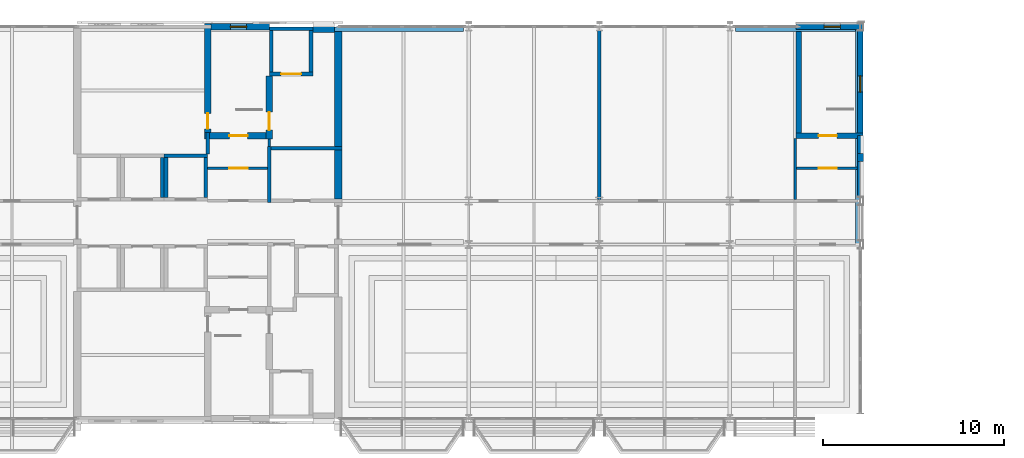
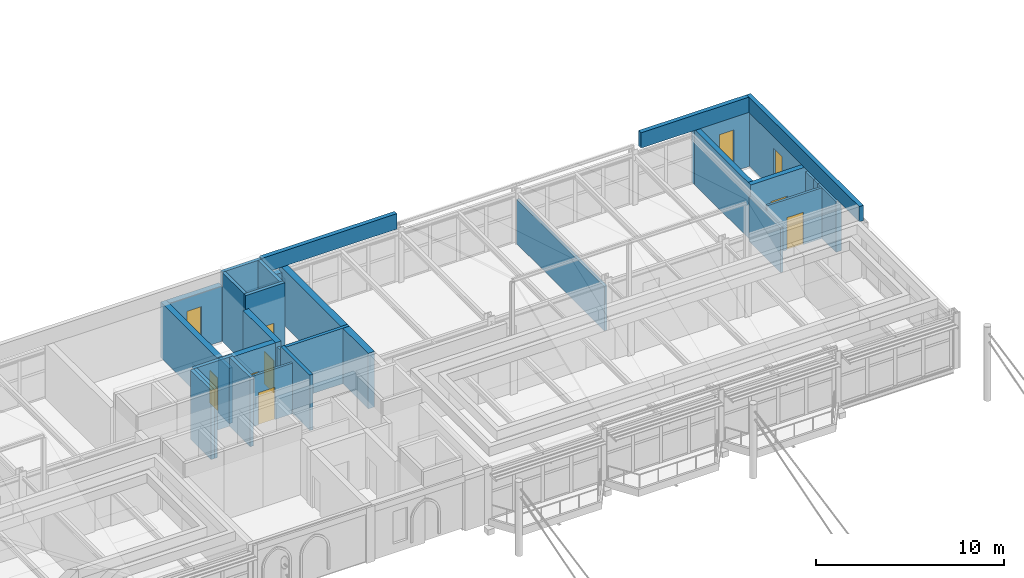
# One storey, part 52 of 68: 33 walls, 7 doors, 3 windows, 10 openings.
"""IFC4 building model written with IfcOpenShell, lengths in metres."""

from ifc_helpers import new_model, si_unit, direction, frame, frame_2d, origin, place, context, subcontext, project, spatial, rectangle, extrude, material, layer, layer_set, type_object, element, fill, save


model = new_model("IFC4")

# Units and contexts
model_context = context("Model", 3, precision=1e-05, world=origin(), true_north=direction((0.0, 1.0)))
body_context = subcontext(model_context, "Body", "Model", "MODEL_VIEW")
ifc_project = project(units=[si_unit("LENGTHUNIT", "METRE"), si_unit("AREAUNIT", "SQUARE_METRE"), si_unit("VOLUMEUNIT", "CUBIC_METRE"), si_unit("PLANEANGLEUNIT", "RADIAN"), si_unit("MASSUNIT", "GRAM", prefix="KILO")], contexts=[model_context])

# Site, building, storey
site_placement = place(None, origin())
site = spatial("IfcSite", under=ifc_project, at=site_placement, CompositionType="ELEMENT")
building_placement = place(site_placement, origin())
building = spatial("IfcBuilding", under=site, at=building_placement, Name="Kupolbacken Congress Centre", CompositionType="ELEMENT")
storey_placement = place(building_placement, frame((0.0, 0.0, 25.199951171875)))
storey = spatial("IfcBuildingStorey", under=building, at=storey_placement, Name="L07", CompositionType="ELEMENT", Elevation=25.199951171875)

# Walls
ifc_material_1 = material(Name="Brick", Category="masonry")
ifc_layer_1 = layer(ifc_material_1, 0.10791015625)
ifc_material_2 = material(Name="Air cavity", Category="air")
ifc_layer_2 = layer(ifc_material_2, 0.050048828125, ventilated=True)
ifc_material_3 = material(Name="Mineral wool", Category="insulation")
ifc_layer_3 = layer(ifc_material_3, 0.1298828125)
ifc_material_4 = material(Name="Steel studs", Category="metal")
ifc_layer_4 = layer(ifc_material_4, 0.052001953125)
ifc_layer_set_1 = layer_set([ifc_layer_1, ifc_layer_2, ifc_layer_3, ifc_layer_4], Name="Brick / Mineral wool / Steel studs")
wall_type_1 = type_object("IfcWallType", Name="EW02 external cavity wall 340", PredefinedType="SOLIDWALL", material=ifc_layer_set_1)
wall_1_placement = place(storey_placement, frame((136.800048828125, 134.625, 0.0), z_axis=(0.0, 0.0, 1.0), x_axis=(0.0, 1.0, 0.0)))
element("IfcWall", 1, at=wall_1_placement, inside=storey, type_object=wall_type_1, Name="E/T/E/L07/101", PredefinedType="SOLIDWALL", context=body_context, shape_type="SweptSolid", body=[
    extrude(rectangle(XDim=1.949951171875, YDim=0.340087890625, at=frame_2d((0.97509765625, 0.0))), origin(), (0.0, 0.0, 1.0), 3.2900390625),
])
wall_2_placement = place(storey_placement, frame((136.800048828125, 137.02490234375, 0.0), z_axis=(0.0, 0.0, 1.0), x_axis=(0.0, 1.0, 0.0)))
element("IfcWall", 2, at=wall_2_placement, inside=storey, type_object=wall_type_1, Name="E/T/E/L07/102", PredefinedType="SOLIDWALL", context=body_context, shape_type="SweptSolid", body=[
    extrude(rectangle(XDim=0.97509765625, YDim=0.340087890625, at=frame_2d((0.487548828125, 0.0))), origin(), (0.0, 0.0, 1.0), 3.2900390625),
])
wall_3_placement = place(storey_placement, frame((136.800048828125, 136.574951171875, 0.0), z_axis=(0.0, 0.0, 1.0), x_axis=(0.0, 1.0, 0.0)))
element("IfcWall", 3, at=wall_3_placement, inside=storey, type_object=wall_type_1, Name="E/T/gapfill/E/L07/003", PredefinedType="SOLIDWALL", context=body_context, shape_type="SweptSolid", body=[
    extrude(rectangle(XDim=0.449951171875, YDim=0.340087890625, at=frame_2d((0.22509765625, 0.0))), origin(), (0.0, 0.0, 1.0), 3.2900390625),
])
ifc_material_5 = material(Name="Concrete C40/50", Category="concrete")
ifc_layer_5 = layer(ifc_material_5, 0.35009765625)
ifc_layer_6 = layer(ifc_material_3, 0.1220703125)
ifc_layer_7 = layer(ifc_material_2, 0.0400390625, ventilated=True)
ifc_layer_8 = layer(ifc_material_1, 0.10791015625)
ifc_layer_set_2 = layer_set([ifc_layer_5, ifc_layer_6, ifc_layer_7, ifc_layer_8], Name="Concrete C40/50 / Mineral wool / Brick")
wall_type_2 = type_object("IfcWallType", Name="EW10 external cavity wall 620", PredefinedType="SOLIDWALL", material=ifc_layer_set_2)
wall_4_placement = place(storey_placement, frame((107.800048828125, 144.0, 0.0), z_axis=(0.0, 0.0, 1.0), x_axis=(-1.0, 0.0, 0.0)))
element("IfcWall", 4, at=wall_4_placement, inside=storey, type_object=wall_type_2, Name="E/T/N/L07/107", PredefinedType="SOLIDWALL", context=body_context, shape_type="SweptSolid", body=[
    extrude(rectangle(XDim=1.199951171875, YDim=0.6201171875, at=frame_2d((0.60009765625, 0.0))), origin(), (0.0, 0.0, 1.0), 3.2900390625),
])
ifc_material_6 = material(Name="Gypsum board", Category="drywall")
ifc_layer_9 = layer(ifc_material_6, 0.175048828125)
ifc_layer_set_3 = layer_set([ifc_layer_9], Name="Gypsum board")
wall_type_3 = type_object("IfcWallType", Name="P09 partition 175", PredefinedType="PARTITIONING", material=ifc_layer_set_3)
wall_5_placement = place(storey_placement, frame((122.39990234375, 134.487548828125, 0.0), z_axis=(0.0, 0.0, 1.0), x_axis=(0.0, 1.0, 0.0)))
element("IfcWall", 5, at=wall_5_placement, inside=storey, type_object=wall_type_3, Name="T/wall/L07/y/12240/13440", PredefinedType="PARTITIONING", context=body_context, shape_type="SweptSolid", body=[
    extrude(rectangle(XDim=9.342529296875, YDim=0.175048828125, at=frame_2d((4.67138671875, 0.0))), origin(), (0.0, 0.0, 1.0), 2.89013671875),
])

# Wall, opening, door
ifc_material_7 = material(Name="Aerated concrete block", Category="masonry")
ifc_layer_10 = layer(ifc_material_7, 0.139892578125)
ifc_layer_set_4 = layer_set([ifc_layer_10], Name="Aerated concrete block")
wall_type_4 = type_object("IfcWallType", Name="P14 compartment wall 140", PredefinedType="PARTITIONING", material=ifc_layer_set_4)
wall_6_placement = place(storey_placement, frame((100.800048828125, 136.199951171875, 0.0), z_axis=(0.0, 0.0, 1.0), x_axis=(1.0, 0.0, 0.0)))
wall_6 = element("IfcWall", 6, at=wall_6_placement, inside=storey, type_object=wall_type_4, Name="T/wall/L07/x/13620/10080", PredefinedType="PARTITIONING", context=body_context, shape_type="SweptSolid", body=[
    extrude(rectangle(XDim=3.300048828125, YDim=0.139892578125, at=frame_2d((1.64990234375, 0.0))), origin(), (0.0, 0.0, 1.0), 3.2900390625),
])
opening_1_placement = place(wall_6_placement, frame((1.199951171875, 0.0, 0.0)))
opening_1 = element("IfcOpeningElement", 7, at=opening_1_placement, cuts=wall_6, Name="Opening D5", PredefinedType="OPENING", context=body_context, shape_type="SweptSolid", body=[
    extrude(rectangle(XDim=1.0, YDim=2.10009765625, at=frame_2d((0.5, 1.050048828125))), frame((0.0, 0.079833984375, 0.0), z_axis=(0.0, -1.0, 0.0), x_axis=(1.0, 0.0, 0.0)), (0.0, 0.0, 1.0), 0.159912109375),
])
ifc_material_8 = material(Name="Steel fire door leaf", Category="steel")
door_type_1 = type_object("IfcDoorType", Name="D5 stair door 1000x2100", OperationType="SINGLE_SWING_LEFT", PredefinedType="DOOR", material=ifc_material_8)
door_1_placement = place(opening_1_placement, frame((1.0, 0.0, 0.0), z_axis=(0.0, 0.0, 1.0), x_axis=(-1.0, 0.0, 0.0)))
door_1 = element("IfcDoor", 8, at=door_1_placement, inside=storey, type_object=door_type_1, Name="T/wall/L07/x/13620/10080/D-TS2-LK2", OperationType="SINGLE_SWING_RIGHT", OverallHeight=2.10009765625, OverallWidth=1.0, PredefinedType="DOOR", context=body_context, shape_type="SweptSolid", body=[
    extrude(rectangle(XDim=1.0, YDim=2.10009765625, at=frame_2d((0.5, 1.050048828125))), frame((0.0, 0.02490234375, 0.0), z_axis=(0.0, -1.0, 0.0), x_axis=(1.0, 0.0, 0.0)), (0.0, 0.0, 1.0), 0.050048828125),
])
fill(opening_1, door_1)

wall_7_placement = place(storey_placement, frame((133.27001953125, 136.199951171875, 0.0), z_axis=(0.0, 0.0, 1.0), x_axis=(1.0, 0.0, 0.0)))
wall_7 = element("IfcWall", 9, at=wall_7_placement, inside=storey, type_object=wall_type_4, Name="T/wall/L07/x/13620/13320", PredefinedType="PARTITIONING", context=body_context, shape_type="SweptSolid", body=[
    extrude(rectangle(XDim=3.35986328125, YDim=0.139892578125, at=frame_2d((1.679931640625, 0.0))), origin(), (0.0, 0.0, 1.0), 3.2900390625),
])
opening_2_placement = place(wall_7_placement, frame((1.22998046875, 0.0, 0.0)))
opening_2 = element("IfcOpeningElement", 10, at=opening_2_placement, cuts=wall_7, Name="Opening D5", PredefinedType="OPENING", context=body_context, shape_type="SweptSolid", body=[
    extrude(rectangle(XDim=1.0, YDim=2.10009765625, at=frame_2d((0.5, 1.050048828125))), frame((0.0, 0.079833984375, 0.0), z_axis=(0.0, -1.0, 0.0), x_axis=(1.0, 0.0, 0.0)), (0.0, 0.0, 1.0), 0.159912109375),
])
door_2_placement = place(opening_2_placement, frame((1.0, 0.0, 0.0), z_axis=(0.0, 0.0, 1.0), x_axis=(-1.0, 0.0, 0.0)))
door_2 = element("IfcDoor", 11, at=door_2_placement, inside=storey, type_object=door_type_1, Name="T/wall/L07/x/13620/13320/D-TS4-LK2", OperationType="SINGLE_SWING_RIGHT", OverallHeight=2.10009765625, OverallWidth=1.0, PredefinedType="DOOR", context=body_context, shape_type="SweptSolid", body=[
    extrude(rectangle(XDim=1.0, YDim=2.10009765625, at=frame_2d((0.5, 1.050048828125))), frame((0.0, 0.02490234375, 0.0), z_axis=(0.0, -1.0, 0.0), x_axis=(1.0, 0.0, 0.0)), (0.0, 0.0, 1.0), 0.050048828125),
])
fill(opening_2, door_2)

# Walls
wall_8_placement = place(storey_placement, frame((104.199951171875, 137.39990234375, 0.0), z_axis=(0.0, 0.0, 1.0), x_axis=(0.0, 1.0, 0.0)))
element("IfcWall", 12, at=wall_8_placement, inside=storey, type_object=wall_type_4, Name="T/wall/L07/y/10420/13740", PredefinedType="PARTITIONING", context=body_context, shape_type="SweptSolid", body=[
    extrude(rectangle(XDim=0.425048828125, YDim=0.139892578125, at=frame_2d((0.21240234375, 0.0))), origin(), (0.0, 0.0, 1.0), 3.2900390625),
])
wall_9_placement = place(storey_placement, frame((133.199951171875, 134.469970703125, 0.0), z_axis=(0.0, 0.0, 1.0), x_axis=(0.0, 1.0, 0.0)))
element("IfcWall", 13, at=wall_9_placement, inside=storey, type_object=wall_type_4, Name="T/wall/L07/y/13320/13440", PredefinedType="PARTITIONING", context=body_context, shape_type="SweptSolid", body=[
    extrude(rectangle(XDim=3.380126953125, YDim=0.139892578125, at=frame_2d((1.68994140625, 0.0))), origin(), (0.0, 0.0, 1.0), 2.89013671875),
])
ifc_layer_11 = layer(ifc_material_1, 0.10791015625)
ifc_material_9 = material(Name="Concrete block", Category="masonry")
ifc_layer_12 = layer(ifc_material_9, 0.152099609375)
ifc_layer_set_5 = layer_set([ifc_layer_11, ifc_layer_12], Name="Brick / Concrete block")
wall_type_5 = type_object("IfcWallType", Name="PW2 parapet 260", PredefinedType="PARAPET", material=ifc_layer_set_5)
wall_10_placement = place(storey_placement, frame((136.669921875, 132.0, 3.60009765625), z_axis=(0.0, 0.0, 1.0), x_axis=(0.0, 1.0, 0.0)))
element("IfcWall", 14, at=wall_10_placement, inside=storey, type_object=wall_type_5, Name="E/T/parapet/E", PredefinedType="PARAPET", context=body_context, shape_type="SweptSolid", body=[
    extrude(rectangle(XDim=12.0, YDim=0.260009765625, at=frame_2d((6.0, 0.0))), origin(), (0.0, 0.0, 1.0), 1.0),
])
wall_11_placement = place(storey_placement, frame((106.60009765625, 143.8701171875, 3.60009765625), z_axis=(0.0, 0.0, 1.0), x_axis=(1.0, 0.0, 0.0)))
element("IfcWall", 15, at=wall_11_placement, inside=storey, type_object=wall_type_5, Name="E/T/parapet/N3", PredefinedType="PARAPET", context=body_context, shape_type="SweptSolid", body=[
    extrude(rectangle(XDim=8.2998046875, YDim=0.260009765625, at=frame_2d((4.14990234375, 0.0))), origin(), (0.0, 0.0, 1.0), 1.0),
])
wall_12_placement = place(storey_placement, frame((129.89990234375, 143.8701171875, 3.60009765625), z_axis=(0.0, 0.0, 1.0), x_axis=(1.0, 0.0, 0.0)))
element("IfcWall", 16, at=wall_12_placement, inside=storey, type_object=wall_type_5, Name="E/T/parapet/N4", PredefinedType="PARAPET", context=body_context, shape_type="SweptSolid", body=[
    extrude(rectangle(XDim=6.64013671875, YDim=0.260009765625, at=frame_2d((3.320068359375, 0.0))), origin(), (0.0, 0.0, 1.0), 1.0),
])
ifc_material_10 = material(Name="Concrete C40/50", Category="concrete")
ifc_layer_13 = layer(ifc_material_10, 0.199951171875)
ifc_layer_set_6 = layer_set([ifc_layer_13], Name="Concrete C40/50")
wall_type_6 = type_object("IfcWallType", Name="WC1 RC shaft wall 200", PredefinedType="SHEAR", material=ifc_layer_set_6)
wall_13_placement = place(storey_placement, frame((100.800048828125, 137.0, 0.0), z_axis=(0.0, 0.0, 1.0), x_axis=(0.0, 1.0, 0.0)))
element("IfcWall", 17, at=wall_13_placement, inside=storey, type_object=wall_type_6, Name="Shaft wall L07-114", PredefinedType="SHEAR", context=body_context, shape_type="SweptSolid", body=[
    extrude(rectangle(XDim=1.175048828125, YDim=0.199951171875, at=frame_2d((0.58740234375, 0.0))), origin(), (0.0, 0.0, 1.0), 3.60009765625),
])
wall_14_placement = place(storey_placement, frame((104.199951171875, 137.39990234375, 0.0), z_axis=(0.0, 0.0, 1.0), x_axis=(0.0, -1.0, 0.0)))
element("IfcWall", 18, at=wall_14_placement, inside=storey, type_object=wall_type_6, Name="Shaft wall L07-115", PredefinedType="SHEAR", context=body_context, shape_type="SweptSolid", body=[
    extrude(rectangle(XDim=3.099853515625, YDim=0.199951171875, at=frame_2d((1.5498046875, 0.0))), origin(), (0.0, 0.0, 1.0), 3.60009765625),
])
wall_15_placement = place(storey_placement, frame((108.199951171875, 137.300048828125, 0.0), z_axis=(0.0, 0.0, 1.0), x_axis=(-1.0, 0.0, 0.0)))
element("IfcWall", 19, at=wall_15_placement, inside=storey, type_object=wall_type_6, Name="Shaft wall L07-116", PredefinedType="SHEAR", context=body_context, shape_type="SweptSolid", body=[
    extrude(rectangle(XDim=4.099853515625, YDim=0.199951171875, at=frame_2d((2.0498046875, 0.0))), origin(), (0.0, 0.0, 1.0), 3.60009765625),
])
wall_16_placement = place(storey_placement, frame((98.300048828125, 134.60009765625, 0.0), z_axis=(0.0, 0.0, 1.0), x_axis=(0.0, 1.0, 0.0)))
element("IfcWall", 20, at=wall_16_placement, inside=storey, type_object=wall_type_6, Name="Shaft wall LP13", PredefinedType="SHEAR", context=body_context, shape_type="SweptSolid", body=[
    extrude(rectangle(XDim=2.199951171875, YDim=0.199951171875, at=frame_2d((1.10009765625, 0.0))), origin(), (0.0, 0.0, 1.0), 4.5),
])
wall_17_placement = place(storey_placement, frame((98.39990234375, 136.89990234375, 0.0), z_axis=(0.0, 0.0, 1.0), x_axis=(1.0, 0.0, 0.0)))
element("IfcWall", 21, at=wall_17_placement, inside=storey, type_object=wall_type_6, Name="Shaft wall LP14", PredefinedType="SHEAR", context=body_context, shape_type="SweptSolid", body=[
    extrude(rectangle(XDim=2.400146484375, YDim=0.199951171875, at=frame_2d((1.2001953125, 0.0))), origin(), (0.0, 0.0, 1.0), 4.5),
])
for number, where, z_axis, x_axis, name in (
    (22, (98.5, 134.60009765625, 0.0), (0.0, 0.0, 1.0), (0.0, 1.0, 0.0), "Shaft wall LP14"),
    (23, (100.699951171875, 134.60009765625, 0.0), (0.0, 0.0, 1.0), (0.0, 1.0, 0.0), "Shaft wall LP14"),
):
    element("IfcWall", number, at=place(storey_placement, frame(where, z_axis=z_axis, x_axis=x_axis)), inside=storey, type_object=wall_type_6, Name=name, PredefinedType="SHEAR", context=body_context, shape_type="SweptSolid", body=[
        extrude(rectangle(XDim=2.199951171875, YDim=0.199951171875, at=frame_2d((1.10009765625, 0.0))), origin(), (0.0, 0.0, 1.0), 4.5),
    ])

# Wall, opening, door
wall_18_placement = place(storey_placement, frame((104.199951171875, 141.39990234375, 0.0), z_axis=(0.0, 0.0, 1.0), x_axis=(1.0, 0.0, 0.0)))
wall_18 = element("IfcWall", 24, at=wall_18_placement, inside=storey, type_object=wall_type_6, Name="Shaft wall LF2", PredefinedType="SHEAR", context=body_context, shape_type="SweptSolid", body=[
    extrude(rectangle(XDim=2.400146484375, YDim=0.199951171875, at=frame_2d((1.2001953125, 0.0))), origin(), (0.0, 0.0, 1.0), 4.5),
])
opening_3_placement = place(wall_18_placement, frame((0.64990234375, 0.0, 0.0)))
opening_3 = element("IfcOpeningElement", 25, at=opening_3_placement, cuts=wall_18, Name="Opening LD2", PredefinedType="OPENING", context=body_context, shape_type="SweptSolid", body=[
    extrude(rectangle(XDim=1.10009765625, YDim=2.10009765625, at=frame_2d((0.550048828125, 1.050048828125))), frame((0.0, 0.10986328125, 0.0), z_axis=(0.0, -1.0, 0.0), x_axis=(1.0, 0.0, 0.0)), (0.0, 0.0, 1.0), 0.219970703125),
])
ifc_material_11 = material(Name="Stainless steel door leaf", Category="steel")
door_type_2 = type_object("IfcDoorType", Name="LD2 lift landing door 1100x2100", OperationType="SLIDING_TO_LEFT", PredefinedType="DOOR", material=ifc_material_11)
door_3_placement = place(opening_3_placement, origin())
door_3 = element("IfcDoor", 26, at=door_3_placement, inside=storey, type_object=door_type_2, Name="Lift landing door LF2", OperationType="SLIDING_TO_LEFT", OverallHeight=2.10009765625, OverallWidth=1.10009765625, PredefinedType="DOOR", context=body_context, shape_type="SweptSolid", body=[
    extrude(rectangle(XDim=1.10009765625, YDim=2.10009765625, at=frame_2d((0.550048828125, 1.050048828125))), frame((0.0, 0.02490234375, 0.0), z_axis=(0.0, -1.0, 0.0), x_axis=(1.0, 0.0, 0.0)), (0.0, 0.0, 1.0), 0.050048828125),
])
fill(opening_3, door_3)

# Walls
wall_19_placement = place(storey_placement, frame((104.199951171875, 143.89990234375, 0.0), z_axis=(0.0, 0.0, 1.0), x_axis=(1.0, 0.0, 0.0)))
element("IfcWall", 27, at=wall_19_placement, inside=storey, type_object=wall_type_6, Name="Shaft wall LF2", PredefinedType="SHEAR", context=body_context, shape_type="SweptSolid", body=[
    extrude(rectangle(XDim=2.400146484375, YDim=0.199951171875, at=frame_2d((1.2001953125, 0.0))), origin(), (0.0, 0.0, 1.0), 4.5),
])
for number, where, z_axis, x_axis, name in (
    (28, (104.300048828125, 141.5, 0.0), (0.0, 0.0, 1.0), (0.0, 1.0, 0.0), "Shaft wall LF2"),
    (29, (106.5, 141.5, 0.0), (0.0, 0.0, 1.0), (0.0, 1.0, 0.0), "Shaft wall LF2"),
):
    element("IfcWall", number, at=place(storey_placement, frame(where, z_axis=z_axis, x_axis=x_axis)), inside=storey, type_object=wall_type_6, Name=name, PredefinedType="SHEAR", context=body_context, shape_type="SweptSolid", body=[
        extrude(rectangle(XDim=2.300048828125, YDim=0.199951171875, at=frame_2d((1.14990234375, 0.0))), origin(), (0.0, 0.0, 1.0), 4.5),
    ])

# Wall, opening, door
ifc_material_12 = material(Name="Concrete C40/50", Category="concrete")
ifc_layer_14 = layer(ifc_material_12, 0.300048828125)
ifc_layer_set_7 = layer_set([ifc_layer_14], Name="Concrete C40/50")
wall_type_7 = type_object("IfcWallType", Name="WC3 RC core wall 300", PredefinedType="SHEAR", material=ifc_layer_set_7)
wall_20_placement = place(storey_placement, frame((133.25, 138.0, 0.0), z_axis=(0.0, 0.0, 1.0), x_axis=(1.0, 0.0, 0.0)))
wall_20 = element("IfcWall", 30, at=wall_20_placement, inside=storey, type_object=wall_type_7, Name="Core wall L07-122", PredefinedType="SHEAR", context=body_context, shape_type="SweptSolid", body=[
    extrude(rectangle(XDim=3.699951171875, YDim=0.300048828125, at=frame_2d((1.85009765625, 0.0))), origin(), (0.0, 0.0, 1.0), 3.60009765625),
])
opening_4_placement = place(wall_20_placement, frame((1.25, 0.0, 0.0)))
opening_4 = element("IfcOpeningElement", 31, at=opening_4_placement, cuts=wall_20, Name="Opening D5", PredefinedType="OPENING", context=body_context, shape_type="SweptSolid", body=[
    extrude(rectangle(XDim=1.0, YDim=2.10009765625, at=frame_2d((0.5, 1.050048828125))), frame((0.0, 0.159912109375, 0.0), z_axis=(0.0, -1.0, 0.0), x_axis=(1.0, 0.0, 0.0)), (0.0, 0.0, 1.0), 0.320068359375),
])
door_4_placement = place(opening_4_placement, origin())
door_4 = element("IfcDoor", 32, at=door_4_placement, inside=storey, type_object=door_type_1, Name="S/core/L07/122/D-TS4-LK1", OperationType="SINGLE_SWING_RIGHT", OverallHeight=2.10009765625, OverallWidth=1.0, PredefinedType="DOOR", context=body_context, shape_type="SweptSolid", body=[
    extrude(rectangle(XDim=1.0, YDim=2.10009765625, at=frame_2d((0.5, 1.050048828125))), frame((0.0, 0.02490234375, 0.0), z_axis=(0.0, -1.0, 0.0), x_axis=(1.0, 0.0, 0.0)), (0.0, 0.0, 1.0), 0.050048828125),
])
fill(opening_4, door_4)

# Wall, opening, window
wall_21_placement = place(storey_placement, frame((136.800048828125, 137.85009765625, 0.0), z_axis=(0.0, 0.0, 1.0), x_axis=(0.0, 1.0, 0.0)))
wall_21 = element("IfcWall", 33, at=wall_21_placement, inside=storey, type_object=wall_type_7, Name="Core wall L07-123", PredefinedType="SHEAR", context=body_context, shape_type="SweptSolid", body=[
    extrude(rectangle(XDim=6.2998046875, YDim=0.300048828125, at=frame_2d((3.14990234375, 0.0))), origin(), (0.0, 0.0, 1.0), 3.60009765625),
])
opening_5_placement = place(wall_21_placement, frame((2.550048828125, 0.0, 0.60009765625)))
opening_5 = element("IfcOpeningElement", 34, at=opening_5_placement, cuts=wall_21, Name="Opening W28", PredefinedType="OPENING", context=body_context, shape_type="SweptSolid", body=[
    extrude(rectangle(XDim=0.89990234375, YDim=2.10009765625, at=frame_2d((0.449951171875, 1.050048828125))), frame((0.0, 0.159912109375, 0.0), z_axis=(0.0, -1.0, 0.0), x_axis=(1.0, 0.0, 0.0)), (0.0, 0.0, 1.0), 0.320068359375),
])
ifc_material_13 = material(Name="Aluminium frame with double or triple glazing", Category="aluminium")
window_type = type_object("IfcWindowType", Name="W28 window 900x2100", PartitioningType="SINGLE_PANEL", PredefinedType="WINDOW", material=ifc_material_13)
window_1_placement = place(opening_5_placement, origin())
window_1 = element("IfcWindow", 35, at=window_1_placement, inside=storey, type_object=window_type, Name="S/core/L07/123/WW28", OverallHeight=2.10009765625, OverallWidth=0.89990234375, PartitioningType="SINGLE_PANEL", PredefinedType="WINDOW", context=body_context, shape_type="SweptSolid", body=[
    extrude(rectangle(XDim=0.89990234375, YDim=2.10009765625, at=frame_2d((0.449951171875, 1.050048828125))), frame((0.0, 0.030029296875, 0.0), z_axis=(0.0, -1.0, 0.0), x_axis=(1.0, 0.0, 0.0)), (0.0, 0.0, 1.0), 0.06005859375),
])
fill(opening_5, window_1)

# Wall
wall_22_placement = place(storey_placement, frame((133.39990234375, 144.14990234375, 0.0), z_axis=(0.0, 0.0, 1.0), x_axis=(0.0, -1.0, 0.0)))
element("IfcWall", 36, at=wall_22_placement, inside=storey, type_object=wall_type_7, Name="Core wall L07-130", PredefinedType="SHEAR", context=body_context, shape_type="SweptSolid", body=[
    extrude(rectangle(XDim=6.2998046875, YDim=0.300048828125, at=frame_2d((3.14990234375, 0.0))), origin(), (0.0, 0.0, 1.0), 3.60009765625),
])

# Wall, opening, window
wall_23_placement = place(storey_placement, frame((136.949951171875, 144.0, 0.0), z_axis=(0.0, 0.0, 1.0), x_axis=(-1.0, 0.0, 0.0)))
wall_23 = element("IfcWall", 37, at=wall_23_placement, inside=storey, type_object=wall_type_7, Name="Core wall L07-131", PredefinedType="SHEAR", context=body_context, shape_type="SweptSolid", body=[
    extrude(rectangle(XDim=3.699951171875, YDim=0.300048828125, at=frame_2d((1.85009765625, 0.0))), origin(), (0.0, 0.0, 1.0), 3.60009765625),
])
opening_6_placement = place(wall_23_placement, frame((1.25, 0.0, 0.60009765625)))
opening_6 = element("IfcOpeningElement", 38, at=opening_6_placement, cuts=wall_23, Name="Opening W28", PredefinedType="OPENING", context=body_context, shape_type="SweptSolid", body=[
    extrude(rectangle(XDim=0.89990234375, YDim=2.10009765625, at=frame_2d((0.449951171875, 1.050048828125))), frame((0.0, 0.159912109375, 0.0), z_axis=(0.0, -1.0, 0.0), x_axis=(1.0, 0.0, 0.0)), (0.0, 0.0, 1.0), 0.320068359375),
])
window_2_placement = place(opening_6_placement, origin())
window_2 = element("IfcWindow", 39, at=window_2_placement, inside=storey, type_object=window_type, Name="S/core/L07/131/WW28", OverallHeight=2.10009765625, OverallWidth=0.89990234375, PartitioningType="SINGLE_PANEL", PredefinedType="WINDOW", context=body_context, shape_type="SweptSolid", body=[
    extrude(rectangle(XDim=0.89990234375, YDim=2.10009765625, at=frame_2d((0.449951171875, 1.050048828125))), frame((0.0, 0.030029296875, 0.0), z_axis=(0.0, -1.0, 0.0), x_axis=(1.0, 0.0, 0.0)), (0.0, 0.0, 1.0), 0.06005859375),
])
fill(opening_6, window_2)

# Wall, opening, door
ifc_material_14 = material(Name="Concrete C40/50", Category="concrete")
ifc_layer_15 = layer(ifc_material_14, 0.35009765625)
ifc_layer_set_8 = layer_set([ifc_layer_15], Name="Concrete C40/50")
wall_type_8 = type_object("IfcWallType", Name="WC4 RC core wall 350", PredefinedType="SHEAR", material=ifc_layer_set_8)
wall_24_placement = place(storey_placement, frame((100.625, 138.0, 0.0), z_axis=(0.0, 0.0, 1.0), x_axis=(1.0, 0.0, 0.0)))
wall_24 = element("IfcWall", 40, at=wall_24_placement, inside=storey, type_object=wall_type_8, Name="Core wall L07-120", PredefinedType="SHEAR", context=body_context, shape_type="SweptSolid", body=[
    extrude(rectangle(XDim=3.75, YDim=0.35009765625, at=frame_2d((1.875, 0.0))), origin(), (0.0, 0.0, 1.0), 3.60009765625),
])
opening_7_placement = place(wall_24_placement, frame((1.375, 0.0, 0.0)))
opening_7 = element("IfcOpeningElement", 41, at=opening_7_placement, cuts=wall_24, Name="Opening D5", PredefinedType="OPENING", context=body_context, shape_type="SweptSolid", body=[
    extrude(rectangle(XDim=1.0, YDim=2.10009765625, at=frame_2d((0.5, 1.050048828125))), frame((0.0, 0.18505859375, 0.0), z_axis=(0.0, -1.0, 0.0), x_axis=(1.0, 0.0, 0.0)), (0.0, 0.0, 1.0), 0.3701171875),
])
door_5_placement = place(opening_7_placement, origin())
door_5 = element("IfcDoor", 42, at=door_5_placement, inside=storey, type_object=door_type_1, Name="S/core/L07/120/D-TS2-LK1", OperationType="SINGLE_SWING_LEFT", OverallHeight=2.10009765625, OverallWidth=1.0, PredefinedType="DOOR", context=body_context, shape_type="SweptSolid", body=[
    extrude(rectangle(XDim=1.0, YDim=2.10009765625, at=frame_2d((0.5, 1.050048828125))), frame((0.0, 0.02490234375, 0.0), z_axis=(0.0, -1.0, 0.0), x_axis=(1.0, 0.0, 0.0)), (0.0, 0.0, 1.0), 0.050048828125),
])
fill(opening_7, door_5)

wall_25_placement = place(storey_placement, frame((104.199951171875, 137.824951171875, 0.0), z_axis=(0.0, 0.0, 1.0), x_axis=(0.0, 1.0, 0.0)))
wall_25 = element("IfcWall", 43, at=wall_25_placement, inside=storey, type_object=wall_type_8, Name="Core wall L07-121", PredefinedType="SHEAR", context=body_context, shape_type="SweptSolid", body=[
    extrude(rectangle(XDim=3.47509765625, YDim=0.35009765625, at=frame_2d((1.737548828125, 0.0))), origin(), (0.0, 0.0, 1.0), 3.60009765625),
])
opening_8_placement = place(wall_25_placement, frame((0.47509765625, 0.0, 0.0)))
opening_8 = element("IfcOpeningElement", 44, at=opening_8_placement, cuts=wall_25, Name="Opening D5", PredefinedType="OPENING", context=body_context, shape_type="SweptSolid", body=[
    extrude(rectangle(XDim=1.0, YDim=2.10009765625, at=frame_2d((0.5, 1.050048828125))), frame((0.0, 0.18505859375, 0.0), z_axis=(0.0, -1.0, 0.0), x_axis=(1.0, 0.0, 0.0)), (0.0, 0.0, 1.0), 0.3701171875),
])
door_6_placement = place(opening_8_placement, origin())
door_6 = element("IfcDoor", 45, at=door_6_placement, inside=storey, type_object=door_type_1, Name="S/core/L07/121/D-TFL2-A", OperationType="SINGLE_SWING_RIGHT", OverallHeight=2.10009765625, OverallWidth=1.0, PredefinedType="DOOR", context=body_context, shape_type="SweptSolid", body=[
    extrude(rectangle(XDim=1.0, YDim=2.10009765625, at=frame_2d((0.5, 1.050048828125))), frame((0.0, 0.02490234375, 0.0), z_axis=(0.0, -1.0, 0.0), x_axis=(1.0, 0.0, 0.0)), (0.0, 0.0, 1.0), 0.050048828125),
])
fill(opening_8, door_6)

wall_26_placement = place(storey_placement, frame((100.800048828125, 144.175048828125, 0.0), z_axis=(0.0, 0.0, 1.0), x_axis=(0.0, -1.0, 0.0)))
wall_26 = element("IfcWall", 46, at=wall_26_placement, inside=storey, type_object=wall_type_8, Name="Core wall L07-127", PredefinedType="SHEAR", context=body_context, shape_type="SweptSolid", body=[
    extrude(rectangle(XDim=6.0, YDim=0.35009765625, at=frame_2d((3.0, 0.0))), origin(), (0.0, 0.0, 1.0), 3.60009765625),
])
opening_9_placement = place(wall_26_placement, frame((4.949951171875, 0.0, 0.0)))
opening_9 = element("IfcOpeningElement", 47, at=opening_9_placement, cuts=wall_26, Name="Opening D3", PredefinedType="OPENING", context=body_context, shape_type="SweptSolid", body=[
    extrude(rectangle(XDim=0.85009765625, YDim=2.10009765625, at=frame_2d((0.425048828125, 1.050048828125))), frame((0.0, 0.18505859375, 0.0), z_axis=(0.0, -1.0, 0.0), x_axis=(1.0, 0.0, 0.0)), (0.0, 0.0, 1.0), 0.3701171875),
])
ifc_material_15 = material(Name="Steel fire door leaf", Category="steel")
door_type_3 = type_object("IfcDoorType", Name="D3 fire door 850x2100", OperationType="SINGLE_SWING_LEFT", PredefinedType="DOOR", material=ifc_material_15)
door_7_placement = place(opening_9_placement, origin())
door_7 = element("IfcDoor", 48, at=door_7_placement, inside=storey, type_object=door_type_3, Name="S/core/L07/127/D-TR2-A", OperationType="SINGLE_SWING_LEFT", OverallHeight=2.10009765625, OverallWidth=0.85009765625, PredefinedType="DOOR", context=body_context, shape_type="SweptSolid", body=[
    extrude(rectangle(XDim=0.85009765625, YDim=2.10009765625, at=frame_2d((0.425048828125, 1.050048828125))), frame((0.0, 0.02490234375, 0.0), z_axis=(0.0, -1.0, 0.0), x_axis=(1.0, 0.0, 0.0)), (0.0, 0.0, 1.0), 0.050048828125),
])
fill(opening_9, door_7)

# Wall, opening, window
wall_27_placement = place(storey_placement, frame((104.199951171875, 144.0, 0.0), z_axis=(0.0, 0.0, 1.0), x_axis=(-1.0, 0.0, 0.0)))
wall_27 = element("IfcWall", 49, at=wall_27_placement, inside=storey, type_object=wall_type_8, Name="Core wall L07-129", PredefinedType="SHEAR", context=body_context, shape_type="SweptSolid", body=[
    extrude(rectangle(XDim=3.224853515625, YDim=0.35009765625, at=frame_2d((1.6123046875, 0.0))), origin(), (0.0, 0.0, 1.0), 3.60009765625),
])
opening_10_placement = place(wall_27_placement, frame((1.25, 0.0, 0.60009765625)))
opening_10 = element("IfcOpeningElement", 50, at=opening_10_placement, cuts=wall_27, Name="Opening W28", PredefinedType="OPENING", context=body_context, shape_type="SweptSolid", body=[
    extrude(rectangle(XDim=0.89990234375, YDim=2.10009765625, at=frame_2d((0.449951171875, 1.050048828125))), frame((0.0, 0.18505859375, 0.0), z_axis=(0.0, -1.0, 0.0), x_axis=(1.0, 0.0, 0.0)), (0.0, 0.0, 1.0), 0.3701171875),
])
window_3_placement = place(opening_10_placement, origin())
window_3 = element("IfcWindow", 51, at=window_3_placement, inside=storey, type_object=window_type, Name="S/core/L07/129/WW28", OverallHeight=2.10009765625, OverallWidth=0.89990234375, PartitioningType="SINGLE_PANEL", PredefinedType="WINDOW", context=body_context, shape_type="SweptSolid", body=[
    extrude(rectangle(XDim=0.89990234375, YDim=2.10009765625, at=frame_2d((0.449951171875, 1.050048828125))), frame((0.0, 0.030029296875, 0.0), z_axis=(0.0, -1.0, 0.0), x_axis=(1.0, 0.0, 0.0)), (0.0, 0.0, 1.0), 0.06005859375),
])
fill(opening_10, window_3)

# Walls
ifc_material_16 = material(Name="Concrete C40/50", Category="concrete")
ifc_layer_16 = layer(ifc_material_16, 0.39990234375)
ifc_layer_set_9 = layer_set([ifc_layer_16], Name="Concrete C40/50")
wall_type_9 = type_object("IfcWallType", Name="WC5 RC core wall 400", PredefinedType="SHEAR", material=ifc_layer_set_9)
wall_28_placement = place(storey_placement, frame((108.0, 134.5, 0.0), z_axis=(0.0, 0.0, 1.0), x_axis=(0.0, 1.0, 0.0)))
element("IfcWall", 52, at=wall_28_placement, inside=storey, type_object=wall_type_9, Name="Core wall L07-113", PredefinedType="SHEAR", context=body_context, shape_type="SweptSolid", body=[
    extrude(rectangle(XDim=2.89990234375, YDim=0.39990234375, at=frame_2d((1.449951171875, 0.0))), origin(), (0.0, 0.0, 1.0), 3.60009765625),
])
wall_29_placement = place(storey_placement, frame((108.0, 137.39990234375, 0.0), z_axis=(0.0, 0.0, 1.0), x_axis=(0.0, 1.0, 0.0)))
element("IfcWall", 53, at=wall_29_placement, inside=storey, type_object=wall_type_9, Name="Core wall L07-117", PredefinedType="SHEAR", context=body_context, shape_type="SweptSolid", body=[
    extrude(rectangle(XDim=6.60009765625, YDim=0.39990234375, at=frame_2d((3.300048828125, 0.0))), origin(), (0.0, 0.0, 1.0), 3.60009765625),
])

save(model, "model.ifc")
